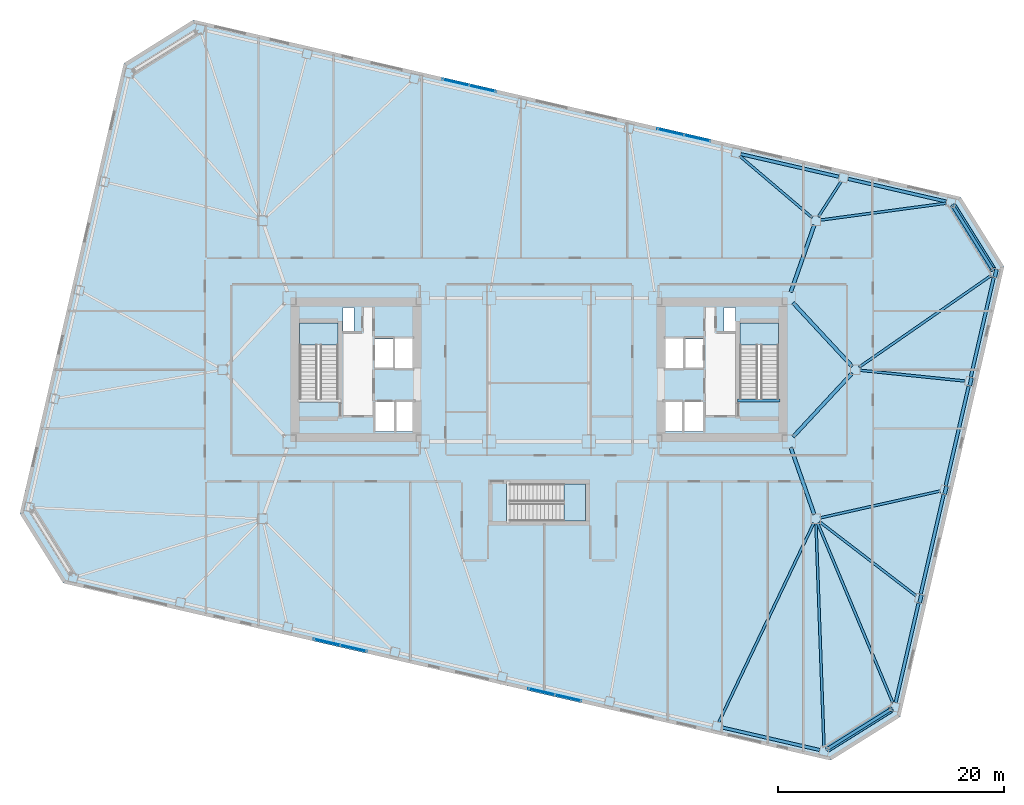
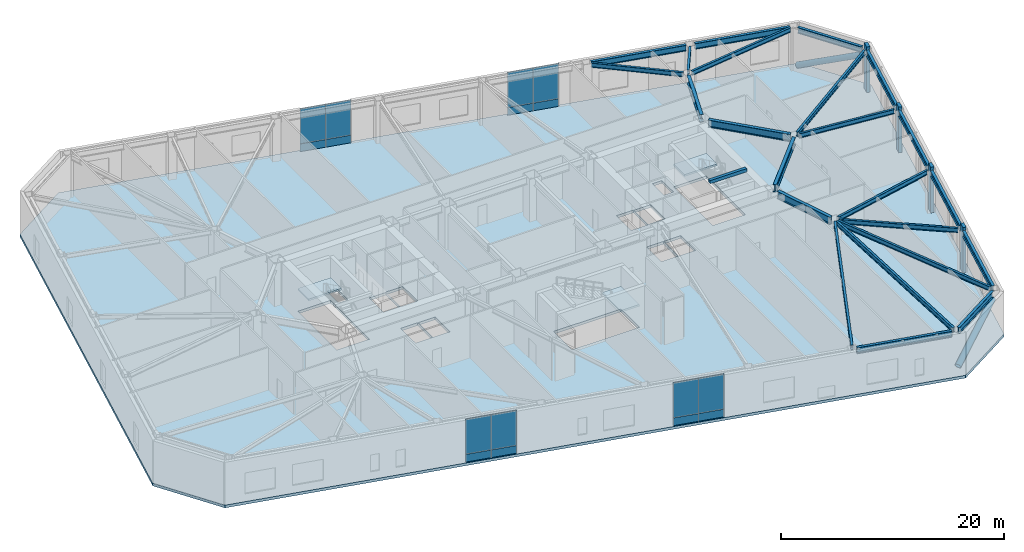
# One storey, part 8 of 20: 24 beams, 16 plates, 6 members, 4 slabs, 7 elements without a shape of their own.
"""IFC4 building model written with IfcOpenShell, lengths in metres."""

from ifc_helpers import new_model, si_unit, direction, frame, origin, origin_2d, place, context, subcontext, project, spatial, polyline, rectangle, hollow_circle, i_section, outline, extrude, material, layer, layer_set, material_profile, profile_set, type_object, element, aggregate, save


model = new_model("IFC4")

# Units and contexts
model_context = context("Model", 3, precision=1e-05, world=origin(), true_north=direction((0.0, 1.0)))
body_context = subcontext(model_context, "Body", "Model", "MODEL_VIEW")
ifc_project = project(units=[si_unit("LENGTHUNIT", "METRE"), si_unit("AREAUNIT", "SQUARE_METRE"), si_unit("VOLUMEUNIT", "CUBIC_METRE"), si_unit("PLANEANGLEUNIT", "RADIAN"), si_unit("MASSUNIT", "GRAM", prefix="KILO")], contexts=[model_context])

# Site, building, storey
site_placement = place(None, origin())
site = spatial("IfcSite", under=ifc_project, at=site_placement, CompositionType="ELEMENT")
building_placement = place(site_placement, origin())
building = spatial("IfcBuilding", under=site, at=building_placement, Name="Tavrogorsk Clinical Tower", CompositionType="ELEMENT")
storey_placement = place(building_placement, frame((0.0, 0.0, 18.39990234375)))
storey = spatial("IfcBuildingStorey", under=building, at=storey_placement, Name="L03", CompositionType="ELEMENT", Elevation=18.39990234375)

# Members
ifc_material_1 = material(Name="Structural steel S440", Category="steel")
ifc_material_profile_1 = material_profile(ifc_material_1, hollow_circle(Radius=0.304931640625, WallThickness=0.02490234375, at=origin_2d()), Name="CHS-610x25")
ifc_profile_set_1 = profile_set([ifc_material_profile_1], Name="Structural steel S440")
member_type_1 = type_object("IfcMemberType", Name="ExoBrace_CHS610", PredefinedType="BRACE", material=ifc_profile_set_1)
for number, where, z_axis, x_axis, name in (
    (1, (25.548828125, -33.5634765625, 0.4833984375), (0.757555520621, 0.473389900336, 0.449457045152), (-0.529932687483, 0.848039708231, 0.0), "L03 Corner Exoskeleton Brace S8-E1"),
    (2, (36.64453125, 14.496826171875, 0.4833984375), (0.473389900336, -0.757555520621, 0.449457045152), (0.848039708231, 0.529932687483, 0.0), "L03 Corner Exoskeleton Brace E5-N1"),
):
    element("IfcMember", number, at=place(storey_placement, frame(where, z_axis=z_axis, x_axis=x_axis)), inside=storey, type_object=member_type_1, Name=name, PredefinedType="BRACE", context=body_context, shape_type="SweptSolid", body=[
        extrude(hollow_circle(Radius=0.304931640625, WallThickness=0.02490234375, at=origin_2d()), origin(), (0.0, 0.0, 1.0), 7.416259765625),
    ])

# Beams
ifc_material_2 = material(Name="Structural steel S355", Category="steel")
ifc_material_profile_2 = material_profile(ifc_material_2, i_section(OverallWidth=0.219970703125, OverallDepth=0.5, WebThickness=0.012939453125, FlangeThickness=0.02001953125, at=origin_2d()), Name="B-500x220x13x20")
ifc_profile_set_2 = profile_set([ifc_material_profile_2], Name="Structural steel S355")
beam_type_1 = type_object("IfcBeamType", Name="FloorBeam_B500", PredefinedType="BEAM", material=ifc_profile_set_2)
beam_1_placement = place(storey_placement, frame((24.323486328125, -13.570068359375, 4.4501953125), z_axis=(-0.430503237889, -0.90258903282, 0.0), x_axis=(0.90258903282, -0.430503237889, 0.0)))
element("IfcBeam", 3, at=beam_1_placement, inside=storey, type_object=beam_type_1, Name="L03 Radial Floor Beam S7", PredefinedType="BEAM", context=body_context, shape_type="SweptSolid", body=[
    extrude(i_section(OverallWidth=0.219970703125, OverallDepth=0.5, WebThickness=0.012939453125, FlangeThickness=0.02001953125, at=origin_2d()), origin(), (0.0, 0.0, 1.0), 19.527587890625),
])
beam_2_placement = place(storey_placement, frame((24.5146484375, -13.609619140625, 4.4501953125), z_axis=(0.035968399295, -0.999352927775, 0.0), x_axis=(0.999352927775, 0.035968399295, 0.0)))
element("IfcBeam", 4, at=beam_2_placement, inside=storey, type_object=beam_type_1, Name="L03 Radial Floor Beam S8", PredefinedType="BEAM", context=body_context, shape_type="SweptSolid", body=[
    extrude(i_section(OverallWidth=0.219970703125, OverallDepth=0.5, WebThickness=0.012939453125, FlangeThickness=0.02001953125, at=origin_2d()), origin(), (0.0, 0.0, 1.0), 19.751953125),
])
beam_3_placement = place(storey_placement, frame((24.90625, 13.254638671875, 4.4501953125), z_axis=(0.991091561022, 0.133182272357, 0.0), x_axis=(-0.133182272357, 0.991091561022, 0.0)))
element("IfcBeam", 5, at=beam_3_placement, inside=storey, type_object=beam_type_1, Name="L03 Radial Floor Beam N1", PredefinedType="BEAM", context=body_context, shape_type="SweptSolid", body=[
    extrude(i_section(OverallWidth=0.219970703125, OverallDepth=0.5, WebThickness=0.012939453125, FlangeThickness=0.02001953125, at=origin_2d()), origin(), (0.0, 0.0, 1.0), 11.24072265625),
])
beam_4_placement = place(storey_placement, frame((24.722412109375, 13.54443359375, 4.4501953125), z_axis=(0.54237908978, 0.840133872052, 0.0), x_axis=(-0.840133872052, 0.54237908978, 0.0)))
element("IfcBeam", 6, at=beam_4_placement, inside=storey, type_object=beam_type_1, Name="L03 Radial Floor Beam N2", PredefinedType="BEAM", context=body_context, shape_type="SweptSolid", body=[
    extrude(i_section(OverallWidth=0.219970703125, OverallDepth=0.5, WebThickness=0.012939453125, FlangeThickness=0.02001953125, at=origin_2d()), origin(), (0.0, 0.0, 1.0), 3.70361328125),
])
beam_5_placement = place(storey_placement, frame((24.187744140625, 13.465576171875, 4.4501953125), z_axis=(-0.761805700094, 0.647805584496, 0.0), x_axis=(-0.647805584496, -0.761805700094, 0.0)))
element("IfcBeam", 7, at=beam_5_placement, inside=storey, type_object=beam_type_1, Name="L03 Radial Floor Beam N3", PredefinedType="BEAM", context=body_context, shape_type="SweptSolid", body=[
    extrude(i_section(OverallWidth=0.219970703125, OverallDepth=0.5, WebThickness=0.012939453125, FlangeThickness=0.02001953125, at=origin_2d()), origin(), (0.0, 0.0, 1.0), 8.431396484375),
])
beam_6_placement = place(storey_placement, frame((24.658447265625, -13.578125, 4.4501953125), z_axis=(0.386243430459, -0.922396884441, 0.0), x_axis=(0.922396884441, 0.386243430459, 0.0)))
element("IfcBeam", 8, at=beam_6_placement, inside=storey, type_object=beam_type_1, Name="L03 Radial Floor Beam E1", PredefinedType="BEAM", context=body_context, shape_type="SweptSolid", body=[
    extrude(i_section(OverallWidth=0.219970703125, OverallDepth=0.5, WebThickness=0.012939453125, FlangeThickness=0.02001953125, at=origin_2d()), origin(), (0.0, 0.0, 1.0), 17.243408203125),
])
beam_7_placement = place(storey_placement, frame((24.825439453125, -13.449462890625, 4.4501953125), z_axis=(0.7934457884, -0.608640929342, 0.0), x_axis=(0.608640929342, 0.7934457884, 0.0)))
element("IfcBeam", 9, at=beam_7_placement, inside=storey, type_object=beam_type_1, Name="L03 Radial Floor Beam E2", PredefinedType="BEAM", context=body_context, shape_type="SweptSolid", body=[
    extrude(i_section(OverallWidth=0.219970703125, OverallDepth=0.5, WebThickness=0.012939453125, FlangeThickness=0.02001953125, at=origin_2d()), origin(), (0.0, 0.0, 1.0), 10.769287109375),
])
beam_8_placement = place(storey_placement, frame((24.900146484375, -13.1103515625, 4.4501953125), z_axis=(0.975844140255, 0.218467878484, 0.0), x_axis=(-0.218467878484, 0.975844140255, 0.0)))
element("IfcBeam", 10, at=beam_8_placement, inside=storey, type_object=beam_type_1, Name="L03 Radial Floor Beam E3", PredefinedType="BEAM", context=body_context, shape_type="SweptSolid", body=[
    extrude(i_section(OverallWidth=0.219970703125, OverallDepth=0.5, WebThickness=0.012939453125, FlangeThickness=0.02001953125, at=origin_2d()), origin(), (0.0, 0.0, 1.0), 10.876708984375),
])
beam_9_placement = place(storey_placement, frame((28.407958984375, -0.041748046875, 4.4501953125), z_axis=(0.994791610226, -0.101929643501, 0.0), x_axis=(0.101929643501, 0.994791610226, 0.0)))
element("IfcBeam", 11, at=beam_9_placement, inside=storey, type_object=beam_type_1, Name="L03 Radial Floor Beam E4", PredefinedType="BEAM", context=body_context, shape_type="SweptSolid", body=[
    extrude(i_section(OverallWidth=0.219970703125, OverallDepth=0.5, WebThickness=0.012939453125, FlangeThickness=0.02001953125, at=origin_2d()), origin(), (0.0, 0.0, 1.0), 9.365234375),
])
beam_10_placement = place(storey_placement, frame((28.3369140625, 0.233642578125, 4.4501953125), z_axis=(0.82154295725, 0.570146620961, 0.0), x_axis=(-0.570146620961, 0.82154295725, 0.0)))
element("IfcBeam", 12, at=beam_10_placement, inside=storey, type_object=beam_type_1, Name="L03 Radial Floor Beam E5", PredefinedType="BEAM", context=body_context, shape_type="SweptSolid", body=[
    extrude(i_section(OverallWidth=0.219970703125, OverallDepth=0.5, WebThickness=0.012939453125, FlangeThickness=0.02001953125, at=origin_2d()), origin(), (0.0, 0.0, 1.0), 14.212646484375),
])

# Members
ifc_material_3 = material(Name="Precast concrete B45 with limestone cladding", Category="masonry")
ifc_material_profile_3 = material_profile(ifc_material_3, rectangle(XDim=0.320068359375, YDim=0.719970703125, at=origin_2d()), Name="LIMESTONE-FIN-320x720")
ifc_profile_set_3 = profile_set([ifc_material_profile_3], Name="Precast concrete B45 with limestone cladding")
member_type_2 = type_object("IfcMemberType", Name="LimestonePleatFin_320x720", PredefinedType="USERDEFINED", material=ifc_profile_set_3)
for number, where, z_axis, x_axis, name in (
    (13, (33.772216796875, -20.2705078125, 0.0), (0.0, 0.0, 1.0), (0.974370064785, -0.224951054344, 0.0), "L03 E Pleated Stone Fin 1"),
    (14, (35.990234375, -10.6630859375, 0.0), (0.0, 0.0, 1.0), (0.974370064785, -0.224951054344, 0.0), "L03 E Pleated Stone Fin 2"),
    (15, (38.208251953125, -1.055908203125, 0.0), (0.0, 0.0, 1.0), (0.974370064785, -0.224951054344, 0.0), "L03 E Pleated Stone Fin 3"),
    (16, (40.42626953125, 8.551513671875, 0.0), (0.0, 0.0, 1.0), (0.974370064785, -0.224951054344, 0.0), "L03 E Pleated Stone Fin 4"),
):
    element("IfcMember", number, at=place(storey_placement, frame(where, z_axis=z_axis, x_axis=x_axis)), inside=storey, type_object=member_type_2, Name=name, ObjectType="FIN", PredefinedType="USERDEFINED", context=body_context, shape_type="SweptSolid", body=[
        extrude(rectangle(XDim=0.320068359375, YDim=0.719970703125, at=origin_2d()), origin(), (0.0, 0.0, 1.0), 5.0),
    ])

# Beams
ifc_material_4 = material(Name="Structural steel S390", Category="steel")
ifc_material_profile_4 = material_profile(ifc_material_4, i_section(OverallWidth=0.320068359375, OverallDepth=0.800048828125, WebThickness=0.02001953125, FlangeThickness=0.033935546875, at=origin_2d()), Name="B-800x320x20x34")
ifc_profile_set_4 = profile_set([ifc_material_profile_4], Name="Structural steel S390")
beam_type_2 = type_object("IfcBeamType", Name="PrimaryGirder_B800", PredefinedType="USERDEFINED", material=ifc_profile_set_4)
for number, where, z_axis, x_axis, name in (
    (17, (24.364501953125, -12.81298828125, 4.300048828125), (-0.330668611543, 0.943746930771, 0.0), (-0.943746930771, -0.330668611543, 0.0), "L03 Spine Link Girder OPG-2"),
    (18, (24.364501953125, 12.81298828125, 4.300048828125), (-0.330668611543, -0.943746930771, 0.0), (0.943746930771, -0.330668611543, 0.0), "L03 Spine Link Girder OPG-4"),
):
    element("IfcBeam", number, at=place(storey_placement, frame(where, z_axis=z_axis, x_axis=x_axis)), inside=storey, type_object=beam_type_2, Name=name, ObjectType="GIRDER", PredefinedType="USERDEFINED", context=body_context, shape_type="SweptSolid", body=[
        extrude(i_section(OverallWidth=0.320068359375, OverallDepth=0.800048828125, WebThickness=0.02001953125, FlangeThickness=0.033935546875, at=origin_2d()), origin(), (0.0, 0.0, 1.0), 6.288330078125),
    ])
for number, where, z_axis, x_axis, name in (
    (19, (27.720947265625, -0.30029296875, 4.300048828125), (-0.680671250221, -0.732589004233, 0.0), (0.732589004233, -0.680671250221, 0.0), "L03 Spine Link Girder OPG-7"),
    (20, (27.720947265625, 0.30029296875, 4.300048828125), (-0.680671250221, 0.732589004233, 0.0), (-0.732589004233, -0.680671250221, 0.0), "L03 Spine Link Girder OPG-8"),
):
    element("IfcBeam", number, at=place(storey_placement, frame(where, z_axis=z_axis, x_axis=x_axis)), inside=storey, type_object=beam_type_2, Name=name, ObjectType="GIRDER", PredefinedType="USERDEFINED", context=body_context, shape_type="SweptSolid", body=[
        extrude(i_section(OverallWidth=0.320068359375, OverallDepth=0.800048828125, WebThickness=0.02001953125, FlangeThickness=0.033935546875, at=origin_2d()), origin(), (0.0, 0.0, 1.0), 7.697998046875),
    ])
ifc_material_5 = material(Name="Structural steel S390", Category="steel")
ifc_material_profile_5 = material_profile(ifc_material_5, i_section(OverallWidth=0.280029296875, OverallDepth=0.64990234375, WebThickness=0.01611328125, FlangeThickness=0.02490234375, at=origin_2d()), Name="B-650x280x16x25")
ifc_profile_set_5 = profile_set([ifc_material_profile_5], Name="Structural steel S390")
beam_type_3 = type_object("IfcBeamType", Name="SpandrelBeam_B650", PredefinedType="SPANDREL", material=ifc_profile_set_5)
beam_11_placement = place(storey_placement, frame((16.138427734375, -31.655517578125, 4.375), z_axis=(0.974372766602, -0.224939351168, 0.0), x_axis=(0.224939351168, 0.974372766602, 0.0)))
element("IfcBeam", 21, at=beam_11_placement, inside=storey, type_object=beam_type_3, Name="L03 Perimeter Spandrel S7-S8", PredefinedType="SPANDREL", context=body_context, shape_type="SweptSolid", body=[
    extrude(i_section(OverallWidth=0.280029296875, OverallDepth=0.64990234375, WebThickness=0.01611328125, FlangeThickness=0.02490234375, at=origin_2d()), origin(), (0.0, 0.0, 1.0), 8.9326171875),
])
beam_12_placement = place(storey_placement, frame((25.585693359375, -33.540283203125, 4.375), z_axis=(0.848061235793, 0.529898235839, 0.0), x_axis=(-0.529898235839, 0.848061235793, 0.0)))
element("IfcBeam", 22, at=beam_12_placement, inside=storey, type_object=beam_type_3, Name="L03 Perimeter Spandrel S8-E1", PredefinedType="SPANDREL", context=body_context, shape_type="SweptSolid", body=[
    extrude(i_section(OverallWidth=0.280029296875, OverallDepth=0.64990234375, WebThickness=0.01611328125, FlangeThickness=0.02490234375, at=origin_2d()), origin(), (0.0, 0.0, 1.0), 6.537841796875),
])
beam_13_placement = place(storey_placement, frame((31.56787109375, -29.462158203125, 4.375), z_axis=(0.224971881043, 0.974365256328, 0.0), x_axis=(-0.974365256328, 0.224971881043, 0.0)))
element("IfcBeam", 23, at=beam_13_placement, inside=storey, type_object=beam_type_3, Name="L03 Perimeter Spandrel E1-E2", PredefinedType="SPANDREL", context=body_context, shape_type="SweptSolid", body=[
    extrude(i_section(OverallWidth=0.280029296875, OverallDepth=0.64990234375, WebThickness=0.01611328125, FlangeThickness=0.02490234375, at=origin_2d()), origin(), (0.0, 0.0, 1.0), 9.044189453125),
])
for number, where, z_axis, x_axis, name in (
    (24, (33.785888671875, -19.85498046875, 4.375), (0.224946252597, 0.974371173343, 0.0), (-0.974371173343, 0.224946252597, 0.0), "L03 Perimeter Spandrel E2-E3"),
    (25, (36.00390625, -10.24755859375, 4.375), (0.224946252597, 0.974371173343, 0.0), (-0.974371173343, 0.224946252597, 0.0), "L03 Perimeter Spandrel E3-E4"),
):
    element("IfcBeam", number, at=place(storey_placement, frame(where, z_axis=z_axis, x_axis=x_axis)), inside=storey, type_object=beam_type_3, Name=name, PredefinedType="SPANDREL", context=body_context, shape_type="SweptSolid", body=[
        extrude(i_section(OverallWidth=0.280029296875, OverallDepth=0.64990234375, WebThickness=0.01611328125, FlangeThickness=0.02490234375, at=origin_2d()), origin(), (0.0, 0.0, 1.0), 9.0439453125),
    ])
beam_14_placement = place(storey_placement, frame((38.221923828125, -0.640380859375, 4.375), z_axis=(0.224971881043, 0.974365256328, 0.0), x_axis=(-0.974365256328, 0.224971881043, 0.0)))
element("IfcBeam", 26, at=beam_14_placement, inside=storey, type_object=beam_type_3, Name="L03 Perimeter Spandrel E4-E5", PredefinedType="SPANDREL", context=body_context, shape_type="SweptSolid", body=[
    extrude(i_section(OverallWidth=0.280029296875, OverallDepth=0.64990234375, WebThickness=0.01611328125, FlangeThickness=0.02490234375, at=origin_2d()), origin(), (0.0, 0.0, 1.0), 9.044189453125),
])
beam_15_placement = place(storey_placement, frame((40.132080078125, 8.91552734375, 4.375), z_axis=(-0.529925092475, 0.848044454239, 0.0), x_axis=(-0.848044454239, -0.529925092475, 0.0)))
element("IfcBeam", 27, at=beam_15_placement, inside=storey, type_object=beam_type_3, Name="L03 Perimeter Spandrel E5-N1", PredefinedType="SPANDREL", context=body_context, shape_type="SweptSolid", body=[
    extrude(i_section(OverallWidth=0.280029296875, OverallDepth=0.64990234375, WebThickness=0.01611328125, FlangeThickness=0.02490234375, at=origin_2d()), origin(), (0.0, 0.0, 1.0), 6.537841796875),
])
for number, where, z_axis, x_axis, name in (
    (28, (36.0537109375, 14.897705078125, 4.375), (-0.974366775889, 0.224965299645, 0.0), (-0.224965299645, -0.974366775889, 0.0), "L03 Perimeter Spandrel N1-N2"),
    (29, (26.554931640625, 17.090576171875, 4.375), (-0.974366775889, 0.224965299645, 0.0), (-0.224965299645, -0.974366775889, 0.0), "L03 Perimeter Spandrel N2-N3"),
):
    element("IfcBeam", number, at=place(storey_placement, frame(where, z_axis=z_axis, x_axis=x_axis)), inside=storey, type_object=beam_type_3, Name=name, PredefinedType="SPANDREL", context=body_context, shape_type="SweptSolid", body=[
        extrude(i_section(OverallWidth=0.280029296875, OverallDepth=0.64990234375, WebThickness=0.01611328125, FlangeThickness=0.02490234375, at=origin_2d()), origin(), (0.0, 0.0, 1.0), 8.9326171875),
    ])
ifc_material_6 = material(Name="Concrete B60", Category="concrete")
ifc_material_profile_6 = material_profile(ifc_material_6, rectangle(XDim=0.300048828125, YDim=0.35009765625, at=origin_2d()), Name="RC-SHB-300x350")
ifc_profile_set_6 = profile_set([ifc_material_profile_6], Name="Concrete B60")
beam_type_4 = type_object("IfcBeamType", Name="StairHeaderBeam_RC300x350", PredefinedType="BEAM", material=ifc_profile_set_6)
beam_16_placement = place(storey_placement, frame((17.550048828125, -2.719970703125, 4.8251953125), z_axis=(1.0, 0.0, 0.0), x_axis=(0.0, 1.0, 0.0)))
element("IfcBeam", 30, at=beam_16_placement, inside=storey, type_object=beam_type_4, Name="L04 ST-E Landing Header Beam", PredefinedType="BEAM", context=body_context, shape_type="SweptSolid", body=[
    extrude(rectangle(XDim=0.300048828125, YDim=0.35009765625, at=origin_2d()), origin(), (0.0, 0.0, 1.0), 3.800048828125),
])

# Curtain wall, plates
ifc_material_7 = material(Name="Anodised aluminium and triple IGU glazing", Category="aluminium")
ifc_layer_1 = layer(ifc_material_7, 0.179931640625)
ifc_layer_set_1 = layer_set([ifc_layer_1], Name="Anodised aluminium and triple IGU glazing")
curtain_wall_type_1 = type_object("IfcCurtainWallType", Name="CW3_SouthSlot", PredefinedType="NOTDEFINED", material=ifc_layer_set_1)
curtain_wall_1_placement = place(storey_placement, origin())
curtain_wall_1 = element("IfcCurtainWall", 31, at=curtain_wall_1_placement, inside=storey, type_object=curtain_wall_type_1, Name="L03 Curtain Wall CW-L03-S-SLOT-1", PredefinedType="NOTDEFINED")
ifc_material_8 = material(Name="Honed Podolsk limestone spandrel panel", Category="masonry")
ifc_layer_2 = layer(ifc_material_8, 0.080078125)
ifc_layer_set_2 = layer_set([ifc_layer_2], Name="Honed Podolsk limestone spandrel panel")
plate_type_1 = type_object("IfcPlateType", Name="CwSpandrelStonePanel_80", PredefinedType="CURTAIN_PANEL", material=ifc_layer_set_2)
plate_1_placement = place(storey_placement, frame((-18.79638671875, -24.113525390625, 0.002197265625), z_axis=(0.0, 0.0, 1.0), x_axis=(0.974370046851, -0.224951132027, 0.0)))
plate_1 = element("IfcPlate", 32, at=plate_1_placement, type_object=plate_type_1, Name="CW-L03-S-SLOT-1 Stone Spandrel Panel 1", PredefinedType="CURTAIN_PANEL", context=body_context, shape_type="SweptSolid", body=[
    extrude(rectangle(XDim=2.39208984375, YDim=0.080078125, at=origin_2d()), origin(), (0.0, 0.0, 1.0), 0.8359375),
])
plate_2_placement = place(storey_placement, frame((-16.442138671875, -24.656982421875, 0.002197265625), z_axis=(0.0, 0.0, 1.0), x_axis=(0.974370046851, -0.224951132027, 0.0)))
plate_2 = element("IfcPlate", 33, at=plate_2_placement, type_object=plate_type_1, Name="CW-L03-S-SLOT-1 Stone Spandrel Panel 2", PredefinedType="CURTAIN_PANEL", context=body_context, shape_type="SweptSolid", body=[
    extrude(rectangle(XDim=2.39208984375, YDim=0.080078125, at=origin_2d()), origin(), (0.0, 0.0, 1.0), 0.8359375),
])

curtain_wall_2_placement = place(storey_placement, origin())
curtain_wall_2 = element("IfcCurtainWall", 34, at=curtain_wall_2_placement, inside=storey, type_object=curtain_wall_type_1, Name="L03 Curtain Wall CW-L03-S-SLOT-2", PredefinedType="NOTDEFINED")
plate_3_placement = place(storey_placement, frame((0.201171875, -28.49951171875, 0.002197265625), z_axis=(0.0, 0.0, 1.0), x_axis=(0.974370102963, -0.224950888978, 0.0)))
plate_3 = element("IfcPlate", 35, at=plate_3_placement, type_object=plate_type_1, Name="CW-L03-S-SLOT-2 Stone Spandrel Panel 1", PredefinedType="CURTAIN_PANEL", context=body_context, shape_type="SweptSolid", body=[
    extrude(rectangle(XDim=2.39208984375, YDim=0.080078125, at=origin_2d()), origin(), (0.0, 0.0, 1.0), 0.8359375),
])
plate_4_placement = place(storey_placement, frame((2.55517578125, -29.04296875, 0.002197265625), z_axis=(0.0, 0.0, 1.0), x_axis=(0.974370102963, -0.224950888978, 0.0)))
plate_4 = element("IfcPlate", 36, at=plate_4_placement, type_object=plate_type_1, Name="CW-L03-S-SLOT-2 Stone Spandrel Panel 2", PredefinedType="CURTAIN_PANEL", context=body_context, shape_type="SweptSolid", body=[
    extrude(rectangle(XDim=2.39208984375, YDim=0.080078125, at=origin_2d()), origin(), (0.0, 0.0, 1.0), 0.8359375),
])

ifc_material_9 = material(Name="Anodised aluminium and triple IGU glazing", Category="aluminium")
ifc_layer_3 = layer(ifc_material_9, 0.179931640625)
ifc_layer_set_3 = layer_set([ifc_layer_3], Name="Anodised aluminium and triple IGU glazing")
curtain_wall_type_2 = type_object("IfcCurtainWallType", Name="CW2_NorthSlot", PredefinedType="NOTDEFINED", material=ifc_layer_set_3)
curtain_wall_3_placement = place(storey_placement, origin())
curtain_wall_3 = element("IfcCurtainWall", 37, at=curtain_wall_3_placement, inside=storey, type_object=curtain_wall_type_2, Name="L03 Curtain Wall CW-L03-N-SLOT-1", PredefinedType="NOTDEFINED")
plate_5_placement = place(storey_placement, frame((-5.001220703125, 24.8994140625, 0.002197265625), z_axis=(0.0, 0.0, 1.0), x_axis=(-0.974370102963, 0.224950888978, 0.0)))
plate_5 = element("IfcPlate", 38, at=plate_5_placement, type_object=plate_type_1, Name="CW-L03-N-SLOT-1 Stone Spandrel Panel 1", PredefinedType="CURTAIN_PANEL", context=body_context, shape_type="SweptSolid", body=[
    extrude(rectangle(XDim=2.39208984375, YDim=0.080078125, at=origin_2d()), origin(), (0.0, 0.0, 1.0), 0.8359375),
])
plate_6_placement = place(storey_placement, frame((-7.355224609375, 25.44287109375, 0.002197265625), z_axis=(0.0, 0.0, 1.0), x_axis=(-0.974370102963, 0.224950888978, 0.0)))
plate_6 = element("IfcPlate", 39, at=plate_6_placement, type_object=plate_type_1, Name="CW-L03-N-SLOT-1 Stone Spandrel Panel 2", PredefinedType="CURTAIN_PANEL", context=body_context, shape_type="SweptSolid", body=[
    extrude(rectangle(XDim=2.39208984375, YDim=0.080078125, at=origin_2d()), origin(), (0.0, 0.0, 1.0), 0.8359375),
])

curtain_wall_4_placement = place(storey_placement, origin())
curtain_wall_4 = element("IfcCurtainWall", 40, at=curtain_wall_4_placement, inside=storey, type_object=curtain_wall_type_2, Name="L03 Curtain Wall CW-L03-N-SLOT-2", PredefinedType="NOTDEFINED")
plate_7_placement = place(storey_placement, frame((13.996337890625, 20.513427734375, 0.002197265625), z_axis=(0.0, 0.0, 1.0), x_axis=(-0.974370046851, 0.224951132027, 0.0)))
plate_7 = element("IfcPlate", 41, at=plate_7_placement, type_object=plate_type_1, Name="CW-L03-N-SLOT-2 Stone Spandrel Panel 1", PredefinedType="CURTAIN_PANEL", context=body_context, shape_type="SweptSolid", body=[
    extrude(rectangle(XDim=2.39208984375, YDim=0.080078125, at=origin_2d()), origin(), (0.0, 0.0, 1.0), 0.8359375),
])
plate_8_placement = place(storey_placement, frame((11.642333984375, 21.05712890625, 0.002197265625), z_axis=(0.0, 0.0, 1.0), x_axis=(-0.974370046851, 0.224951132027, 0.0)))
plate_8 = element("IfcPlate", 42, at=plate_8_placement, type_object=plate_type_1, Name="CW-L03-N-SLOT-2 Stone Spandrel Panel 2", PredefinedType="CURTAIN_PANEL", context=body_context, shape_type="SweptSolid", body=[
    extrude(rectangle(XDim=2.39208984375, YDim=0.080078125, at=origin_2d()), origin(), (0.0, 0.0, 1.0), 0.8359375),
])

# Plate
ifc_material_10 = material(Name="Triple low-E argon insulated glass", Category="glass")
ifc_layer_4 = layer(ifc_material_10, 0.048095703125)
ifc_layer_set_4 = layer_set([ifc_layer_4], Name="Triple low-E argon insulated glass")
plate_type_2 = type_object("IfcPlateType", Name="CwVisionGlassPanel_48", PredefinedType="CURTAIN_PANEL", material=ifc_layer_set_4)
plate_9_placement = place(storey_placement, frame((-18.79638671875, -24.113525390625, 0.862060546875), z_axis=(0.0, 0.0, 1.0), x_axis=(0.974370046851, -0.224951132027, 0.0)))
plate_9 = element("IfcPlate", 43, at=plate_9_placement, type_object=plate_type_2, Name="CW-L03-S-SLOT-1 Glazing Panel 1", PredefinedType="CURTAIN_PANEL", context=body_context, shape_type="SweptSolid", body=[
    extrude(rectangle(XDim=2.39208984375, YDim=0.048095703125, at=origin_2d()), origin(), (0.0, 0.0, 1.0), 3.8359375),
])

plate_10_placement = place(storey_placement, frame((-16.442138671875, -24.656982421875, 0.862060546875), z_axis=(0.0, 0.0, 1.0), x_axis=(0.974370046851, -0.224951132027, 0.0)))
plate_10 = element("IfcPlate", 44, at=plate_10_placement, type_object=plate_type_2, Name="CW-L03-S-SLOT-1 Glazing Panel 2", PredefinedType="CURTAIN_PANEL", context=body_context, shape_type="SweptSolid", body=[
    extrude(rectangle(XDim=2.39208984375, YDim=0.048095703125, at=origin_2d()), origin(), (0.0, 0.0, 1.0), 3.8359375),
])

aggregate(curtain_wall_1, [plate_1, plate_9, plate_2, plate_10])

plate_11_placement = place(storey_placement, frame((0.201171875, -28.49951171875, 0.862060546875), z_axis=(0.0, 0.0, 1.0), x_axis=(0.974370102963, -0.224950888978, 0.0)))
plate_11 = element("IfcPlate", 45, at=plate_11_placement, type_object=plate_type_2, Name="CW-L03-S-SLOT-2 Glazing Panel 1", PredefinedType="CURTAIN_PANEL", context=body_context, shape_type="SweptSolid", body=[
    extrude(rectangle(XDim=2.39208984375, YDim=0.048095703125, at=origin_2d()), origin(), (0.0, 0.0, 1.0), 3.8359375),
])

plate_12_placement = place(storey_placement, frame((2.55517578125, -29.04296875, 0.862060546875), z_axis=(0.0, 0.0, 1.0), x_axis=(0.974370102963, -0.224950888978, 0.0)))
plate_12 = element("IfcPlate", 46, at=plate_12_placement, type_object=plate_type_2, Name="CW-L03-S-SLOT-2 Glazing Panel 2", PredefinedType="CURTAIN_PANEL", context=body_context, shape_type="SweptSolid", body=[
    extrude(rectangle(XDim=2.39208984375, YDim=0.048095703125, at=origin_2d()), origin(), (0.0, 0.0, 1.0), 3.8359375),
])

aggregate(curtain_wall_2, [plate_3, plate_11, plate_4, plate_12])

plate_13_placement = place(storey_placement, frame((-5.001220703125, 24.8994140625, 0.862060546875), z_axis=(0.0, 0.0, 1.0), x_axis=(-0.974370102963, 0.224950888978, 0.0)))
plate_13 = element("IfcPlate", 47, at=plate_13_placement, type_object=plate_type_2, Name="CW-L03-N-SLOT-1 Glazing Panel 1", PredefinedType="CURTAIN_PANEL", context=body_context, shape_type="SweptSolid", body=[
    extrude(rectangle(XDim=2.39208984375, YDim=0.048095703125, at=origin_2d()), origin(), (0.0, 0.0, 1.0), 3.8359375),
])

plate_14_placement = place(storey_placement, frame((-7.355224609375, 25.44287109375, 0.862060546875), z_axis=(0.0, 0.0, 1.0), x_axis=(-0.974370102963, 0.224950888978, 0.0)))
plate_14 = element("IfcPlate", 48, at=plate_14_placement, type_object=plate_type_2, Name="CW-L03-N-SLOT-1 Glazing Panel 2", PredefinedType="CURTAIN_PANEL", context=body_context, shape_type="SweptSolid", body=[
    extrude(rectangle(XDim=2.39208984375, YDim=0.048095703125, at=origin_2d()), origin(), (0.0, 0.0, 1.0), 3.8359375),
])

aggregate(curtain_wall_3, [plate_5, plate_13, plate_6, plate_14])

plate_15_placement = place(storey_placement, frame((13.996337890625, 20.513427734375, 0.862060546875), z_axis=(0.0, 0.0, 1.0), x_axis=(-0.974370046851, 0.224951132027, 0.0)))
plate_15 = element("IfcPlate", 49, at=plate_15_placement, type_object=plate_type_2, Name="CW-L03-N-SLOT-2 Glazing Panel 1", PredefinedType="CURTAIN_PANEL", context=body_context, shape_type="SweptSolid", body=[
    extrude(rectangle(XDim=2.39208984375, YDim=0.048095703125, at=origin_2d()), origin(), (0.0, 0.0, 1.0), 3.8359375),
])

plate_16_placement = place(storey_placement, frame((11.642333984375, 21.05712890625, 0.862060546875), z_axis=(0.0, 0.0, 1.0), x_axis=(-0.974370046851, 0.224951132027, 0.0)))
plate_16 = element("IfcPlate", 50, at=plate_16_placement, type_object=plate_type_2, Name="CW-L03-N-SLOT-2 Glazing Panel 2", PredefinedType="CURTAIN_PANEL", context=body_context, shape_type="SweptSolid", body=[
    extrude(rectangle(XDim=2.39208984375, YDim=0.048095703125, at=origin_2d()), origin(), (0.0, 0.0, 1.0), 3.8359375),
])

aggregate(curtain_wall_4, [plate_7, plate_15, plate_8, plate_16])

# Slab
ifc_material_11 = material(Name="Concrete B60", Category="concrete")
ifc_layer_5 = layer(ifc_material_11, 0.300048828125)
ifc_layer_set_5 = layer_set([ifc_layer_5], Name="Concrete B60")
slab_type_1 = type_object("IfcSlabType", Name="PodiumSlab_300", PredefinedType="FLOOR", material=ifc_layer_set_5)
slab_1_placement = place(storey_placement, frame((0.0, 0.0, -0.2998046875)))
element("IfcSlab", 51, at=slab_1_placement, inside=storey, type_object=slab_type_1, Name="L03 Structural Slab", PredefinedType="FLOOR", context=body_context, shape_type="SweptSolid", body=[
    extrude(outline(polyline([(-42.06689453125, -18.91552734375), (25.749267578125, -34.572265625), (31.98583984375, -30.67529296875), (41.163818359375, 9.0791015625), (37.266845703125, 15.315673828125), (-30.54931640625, 30.97216796875), (-36.785888671875, 27.0751953125), (-45.9638671875, -12.67919921875), (-42.06689453125, -18.91552734375)]), holes=[polyline([(-17.800048828125, -2.8798828125), (-17.800048828125, 4.125), (-21.199951171875, 4.125), (-21.199951171875, -2.8798828125), (-17.800048828125, -2.8798828125)]), polyline([(21.199951171875, -2.8798828125), (21.199951171875, 4.125), (17.800048828125, 4.125), (17.800048828125, -2.8798828125), (21.199951171875, -2.8798828125)]), polyline([(-2.8798828125, -13.39990234375), (4.125, -13.39990234375), (4.125, -10.10009765625), (-2.8798828125, -10.10009765625), (-2.8798828125, -13.39990234375)]), polyline([(-14.6201171875, 0.169921875), (-12.860107421875, 0.169921875), (-12.860107421875, 2.72998046875), (-14.6201171875, 2.72998046875), (-14.6201171875, 0.169921875)]), polyline([(-14.530029296875, -5.47998046875), (-12.77001953125, -5.47998046875), (-12.77001953125, -2.820068359375), (-14.530029296875, -2.820068359375), (-14.530029296875, -5.47998046875)]), polyline([(-12.72998046875, -5.47998046875), (-10.969970703125, -5.47998046875), (-10.969970703125, -2.820068359375), (-12.72998046875, -2.820068359375), (-12.72998046875, -5.47998046875)]), polyline([(-12.840087890625, 0.1201171875), (-11.080078125, 0.1201171875), (-11.080078125, 2.780029296875), (-12.840087890625, 2.780029296875), (-12.840087890625, 0.1201171875)]), polyline([(12.860107421875, 0.169921875), (14.6201171875, 0.169921875), (14.6201171875, 2.72998046875), (12.860107421875, 2.72998046875), (12.860107421875, 0.169921875)]), polyline([(12.77001953125, -5.47998046875), (14.530029296875, -5.47998046875), (14.530029296875, -2.820068359375), (12.77001953125, -2.820068359375), (12.77001953125, -5.47998046875)]), polyline([(10.969970703125, -5.47998046875), (12.72998046875, -5.47998046875), (12.72998046875, -2.820068359375), (10.969970703125, -2.820068359375), (10.969970703125, -5.47998046875)]), polyline([(11.080078125, 0.1201171875), (12.840087890625, 0.1201171875), (12.840087890625, 2.780029296875), (11.080078125, 2.780029296875), (11.080078125, 0.1201171875)]), polyline([(-17.3798828125, 3.449951171875), (-16.3798828125, 3.449951171875), (-16.3798828125, 5.5), (-17.3798828125, 5.5), (-17.3798828125, 3.449951171875)]), polyline([(16.3798828125, 3.449951171875), (17.3798828125, 3.449951171875), (17.3798828125, 5.5), (16.3798828125, 5.5), (16.3798828125, 3.449951171875)])]), origin(), (0.0, 0.0, 1.0), 0.2998046875),
])

# Stair, slab
ifc_material_12 = material(Name="Concrete B60", Category="concrete")
stair_type = type_object("IfcStairType", Name="CoreStairAssembly", PredefinedType="HALF_TURN_STAIR", material=ifc_material_12)
stair_1_placement = place(storey_placement, origin())
stair_1 = element("IfcStair", 52, at=stair_1_placement, inside=storey, type_object=stair_type, Name="L03 ST-W", PredefinedType="HALF_TURN_STAIR")
ifc_material_13 = material(Name="Concrete B60", Category="concrete")
ifc_layer_6 = layer(ifc_material_13, 0.199951171875)
ifc_layer_set_6 = layer_set([ifc_layer_6], Name="Concrete B60")
slab_type_2 = type_object("IfcSlabType", Name="StairLanding_200", PredefinedType="LANDING", material=ifc_layer_set_6)
slab_2_placement = place(storey_placement, frame((0.0, 0.0, 2.300048828125)))
slab_2 = element("IfcSlab", 53, at=slab_2_placement, type_object=slab_type_2, Name="ST-W landing 1", PredefinedType="LANDING", context=body_context, shape_type="SweptSolid", body=[
    extrude(outline(polyline([(-17.800048828125, 2.18505859375), (-17.800048828125, 4.125), (-21.199951171875, 4.125), (-21.199951171875, 2.18505859375), (-17.800048828125, 2.18505859375)])), origin(), (0.0, 0.0, 1.0), 0.199951171875),
])
aggregate(stair_1, [slab_2])

stair_2_placement = place(storey_placement, origin())
stair_2 = element("IfcStair", 54, at=stair_2_placement, inside=storey, type_object=stair_type, Name="L03 ST-E", PredefinedType="HALF_TURN_STAIR")
slab_3_placement = place(storey_placement, frame((0.0, 0.0, 2.300048828125)))
slab_3 = element("IfcSlab", 55, at=slab_3_placement, type_object=slab_type_2, Name="ST-E landing 1", PredefinedType="LANDING", context=body_context, shape_type="SweptSolid", body=[
    extrude(outline(polyline([(21.199951171875, 2.18505859375), (21.199951171875, 4.125), (17.800048828125, 4.125), (17.800048828125, 2.18505859375), (21.199951171875, 2.18505859375)])), origin(), (0.0, 0.0, 1.0), 0.199951171875),
])
aggregate(stair_2, [slab_3])

stair_3_placement = place(storey_placement, origin())
stair_3 = element("IfcStair", 56, at=stair_3_placement, inside=storey, type_object=stair_type, Name="L03 ST-P", PredefinedType="HALF_TURN_STAIR")
slab_4_placement = place(storey_placement, frame((0.0, 0.0, 2.300048828125)))
slab_4 = element("IfcSlab", 57, at=slab_4_placement, type_object=slab_type_2, Name="ST-P landing 1", PredefinedType="LANDING", context=body_context, shape_type="SweptSolid", body=[
    extrude(outline(polyline([(2.18505859375, -13.39990234375), (4.125, -13.39990234375), (4.125, -10.10009765625), (2.18505859375, -10.10009765625), (2.18505859375, -13.39990234375)])), origin(), (0.0, 0.0, 1.0), 0.199951171875),
])
aggregate(stair_3, [slab_4])

save(model, "model.ifc")
